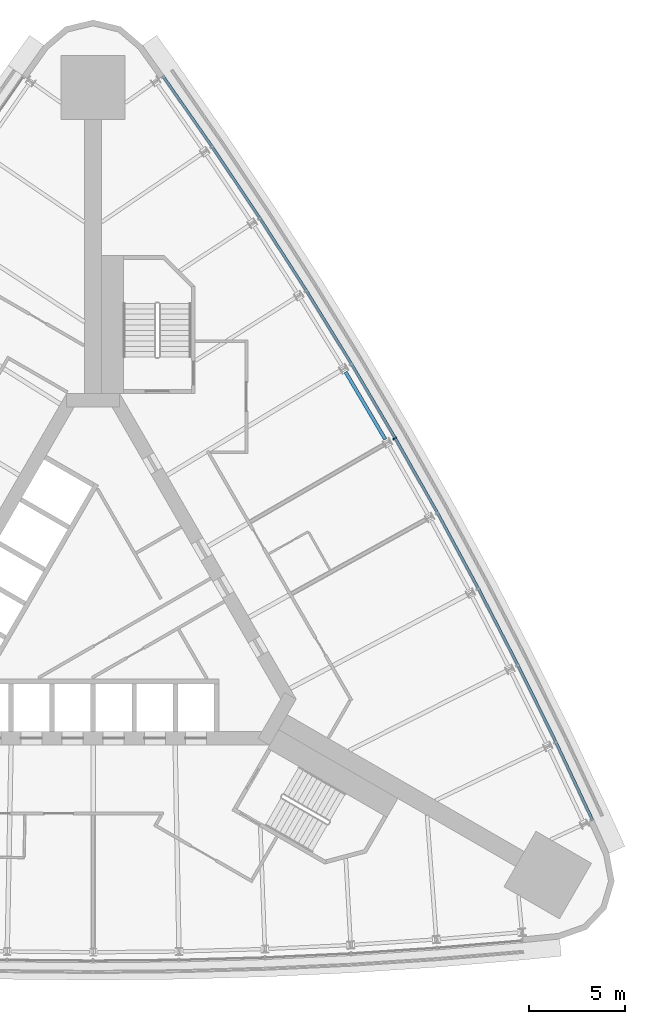
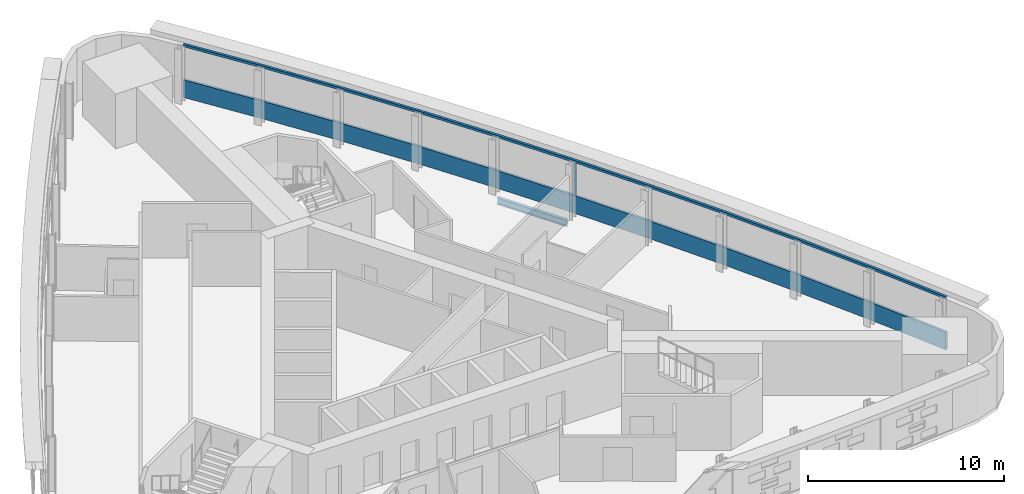
# One storey, part 7 of 14: 3 members, 1 beam, 1 element without a shape of its own.
"""IFC4 building model written with IfcOpenShell, lengths in metres."""

import ifcopenshell
import ifcopenshell.guid

model = None  # the IFC model being written
_history = None  # IfcOwnerHistory: only IFC2X3 demands one
_inside = {}  # id of a spatial element -> (the spatial element, [elements in it])
_under = {}  # id of a project, library or spatial element -> (it, [spatial elements below it])
_declared = {}  # id of a project -> (the project, [libraries it declares])
_typed = {}  # id of a type object -> (the type object, [elements of that type])
_made_of = {}  # id of a material, layer set ... -> (it, [elements and type objects made of it])


def new_model(schema):
    """Start an empty IFC model of exactly this schema.

    Asked for "IFC4X3", IfcOpenShell would pick the latest addendum, in which some entities
    have other attributes; the version numbers below select the first issue.
    IFC2X3 requires an IfcOwnerHistory on every rooted entity: one is made here for all.
    """
    global model, _history
    if schema == "IFC4X3":
        model = ifcopenshell.file(schema_version=(4, 3, 0, 0))
    else:
        model = ifcopenshell.file(schema=schema)
    _inside.clear()
    _under.clear()
    _declared.clear()
    _typed.clear()
    _made_of.clear()
    _history = None
    if model.schema == "IFC2X3":
        org = make("IfcOrganization", Name="unknown")
        user = make(
            "IfcPersonAndOrganization",
            ThePerson=make("IfcPerson", FamilyName="unknown"),
            TheOrganization=org,
        )
        app = make(
            "IfcApplication",
            ApplicationDeveloper=org,
            Version="unknown",
            ApplicationFullName="unknown",
            ApplicationIdentifier="unknown",
        )
        _history = make(
            "IfcOwnerHistory",
            OwningUser=user,
            OwningApplication=app,
            ChangeAction="ADDED",
            CreationDate=0,
        )
    return model


def make(cls, **values):
    """One entity of the class cls with the attributes given. An attribute that is None is left unset."""
    return model.create_entity(
        cls, **{name: value for name, value in values.items() if value is not None}
    )


def rooted(cls, **values):
    """An entity with a GlobalId (a new one), such as an element, a storey or a relation."""
    return make(cls, GlobalId=ifcopenshell.guid.new(), OwnerHistory=_history, **values)


def si_unit(unit_type, name, prefix=None):
    """IfcSIUnit, for example si_unit("LENGTHUNIT", "METRE", prefix="MILLI")."""
    return make("IfcSIUnit", UnitType=unit_type, Prefix=prefix, Name=name)


def assignment(units):
    """IfcUnitAssignment: the units of a project."""
    return None if units is None else make("IfcUnitAssignment", Units=units)


def point(xyz):
    """IfcCartesianPoint."""
    return None if xyz is None else make("IfcCartesianPoint", Coordinates=xyz)


def direction(xyz):
    """IfcDirection."""
    return None if xyz is None else make("IfcDirection", DirectionRatios=xyz)


def frame(location, z_axis=None, x_axis=None):
    """IfcAxis2Placement3D, a coordinate frame: its origin and axes. An axis left out is left unset."""
    return make(
        "IfcAxis2Placement3D",
        Location=point(location),
        Axis=direction(z_axis),
        RefDirection=direction(x_axis),
    )


def frame_2d(location, x_axis=None):
    """IfcAxis2Placement2D, a coordinate frame in the plane: its origin and x axis."""
    return make(
        "IfcAxis2Placement2D", Location=point(location), RefDirection=direction(x_axis)
    )


def origin():
    """The frame at (0, 0, 0) with its axes left unset."""
    return frame((0.0, 0.0, 0.0))


def origin_2d():
    """The frame at (0, 0) in the plane with its x axis left unset."""
    return frame_2d((0.0, 0.0))


def place(relative_to, where):
    """IfcLocalPlacement: puts the frame where relative to a parent placement (None: the world)."""
    return make(
        "IfcLocalPlacement", PlacementRelTo=relative_to, RelativePlacement=where
    )


def context(
    kind, dimensions, precision=None, world=None, true_north=None, identifier=None
):
    """IfcGeometricRepresentationContext, for example the 3D "Model" context."""
    return make(
        "IfcGeometricRepresentationContext",
        ContextIdentifier=identifier,
        ContextType=kind,
        CoordinateSpaceDimension=dimensions,
        Precision=precision,
        WorldCoordinateSystem=world,
        TrueNorth=true_north,
    )


def subcontext(parent, identifier, kind, view, scale=None):
    """IfcGeometricRepresentationSubContext, for example "Body" below "Model"."""
    return make(
        "IfcGeometricRepresentationSubContext",
        ContextIdentifier=identifier,
        ContextType=kind,
        ParentContext=parent,
        TargetScale=scale,
        TargetView=view,
    )


def project(units=None, contexts=None):
    """IfcProject with its units and contexts."""
    return rooted(
        "IfcProject",
        Name="project",
        RepresentationContexts=contexts,
        UnitsInContext=assignment(units),
    )


def spatial(cls, under=None, at=None, **own):
    """A site, building, storey or space (cls), placed at a placement, below another one or the project."""
    s = rooted(cls, ObjectPlacement=at, **own)
    if under is not None:
        _under.setdefault(under.id(), (under, []))[1].append(s)
    return s


def polyline(points):
    """IfcPolyline through the points."""
    return make("IfcPolyline", Points=[point(p) for p in points])


def profile(cls, at=None, kind="AREA", **sizes):
    """A parametric profile (cls). Its sizes go by their IFC names, for example OverallWidth=200.0."""
    return make(cls, ProfileType=kind, Position=at, **sizes)


def rectangle(**sizes):
    """IfcRectangleProfileDef."""
    return profile("IfcRectangleProfileDef", **sizes)


def i_section(**sizes):
    """IfcIShapeProfileDef."""
    return profile("IfcIShapeProfileDef", **sizes)


def outline(outer, holes=None, kind="AREA"):
    """IfcArbitraryClosedProfileDef: a profile drawn as a closed curve; with holes, ...WithVoids."""
    if holes is None:
        return make("IfcArbitraryClosedProfileDef", ProfileType=kind, OuterCurve=outer)
    return make(
        "IfcArbitraryProfileDefWithVoids",
        ProfileType=kind,
        OuterCurve=outer,
        InnerCurves=holes,
    )


def extrude(swept, where, along, depth):
    """IfcExtrudedAreaSolid: the profile swept, set in the frame where, extruded along a direction by depth."""
    return make(
        "IfcExtrudedAreaSolid",
        SweptArea=swept,
        Position=where,
        ExtrudedDirection=direction(along),
        Depth=depth,
    )


def shape(context_of_items, identifier, shape_type, items):
    """IfcShapeRepresentation: the items that make up one representation, for example the "Body"."""
    return make(
        "IfcShapeRepresentation",
        ContextOfItems=context_of_items,
        RepresentationIdentifier=identifier,
        RepresentationType=shape_type,
        Items=items,
    )


def material(Name=None, Category=None):
    """IfcMaterial."""
    return make("IfcMaterial", Name=Name, Category=Category)


def material_profile(
    of_material, cross_section, Name=None, Category=None, Priority=None
):
    """IfcMaterialProfile: a cross section and its material."""
    return make(
        "IfcMaterialProfile",
        Name=Name,
        Material=of_material,
        Profile=cross_section,
        Priority=Priority,
        Category=Category,
    )


def profile_set(profiles, Name=None, composite=None):
    """IfcMaterialProfileSet."""
    return make(
        "IfcMaterialProfileSet",
        Name=Name,
        MaterialProfiles=profiles,
        CompositeProfile=composite,
    )


def made_of(thing, what):
    """Note that an element or type object is made of a material, layer set ...; save() writes the relation."""
    if what is not None:
        _made_of.setdefault(what.id(), (what, []))[1].append(thing)
    return thing


def type_object(cls, material=None, **own):
    """A type object (cls), such as IfcWallType, which elements share."""
    return made_of(rooted(cls, **own), material)


def element(
    cls,
    number,
    at=None,
    inside=None,
    cuts=None,
    type_object=None,
    material=None,
    context=None,
    identifier="Body",
    shape_type=None,
    held_by="IfcProductDefinitionShape",
    body=None,
    shapes=None,
    **own,
):
    """One element of the class cls, such as IfcWall. Its Tag is "e" and its number.

    at: its placement. inside: the storey or other place that contains it. cuts: it is an
    opening in that element (IfcRelVoidsElement). A single representation is given by context,
    identifier, shape_type and body (its items); several are given by shapes. held_by: the class
    of the entity that holds the representations. save() writes the other relations.
    """
    e = rooted(cls, Tag="e%d" % number, ObjectPlacement=at, **own)
    if body is not None:
        shapes = [shape(context, identifier, shape_type, body)]
    if shapes is not None:
        e.Representation = make(held_by, Representations=shapes)
    if inside is not None:
        _inside.setdefault(inside.id(), (inside, []))[1].append(e)
    if cuts is not None:
        rooted(
            "IfcRelVoidsElement", RelatingBuildingElement=cuts, RelatedOpeningElement=e
        )
    if type_object is not None:
        _typed.setdefault(type_object.id(), (type_object, []))[1].append(e)
    return made_of(e, material)


def aggregate(whole, parts):
    """IfcRelAggregates: a whole, such as a stair, and the parts it consists of."""
    return rooted("IfcRelAggregates", RelatingObject=whole, RelatedObjects=parts)


def save(model, path):
    """Write the relations noted so far, then the file.

    IfcRelAggregates (storeys below a building ...), IfcRelContainedInSpatialStructure (elements
    in a storey), IfcRelDefinesByType, IfcRelAssociatesMaterial and IfcRelDeclares: one each for
    every whole, place, type object, material and project.
    """
    for whole, parts in _under.values():
        aggregate(whole, parts)
    for where, things in _inside.values():
        rooted(
            "IfcRelContainedInSpatialStructure",
            RelatedElements=things,
            RelatingStructure=where,
        )
    for kind, things in _typed.values():
        rooted("IfcRelDefinesByType", RelatedObjects=things, RelatingType=kind)
    for what, things in _made_of.values():
        rooted("IfcRelAssociatesMaterial", RelatedObjects=things, RelatingMaterial=what)
    for by, libraries in _declared.values():
        rooted("IfcRelDeclares", RelatingContext=by, RelatedDefinitions=libraries)
    model.write(path)


model = new_model("IFC4")

# Units and contexts
model_context = context("Model", 3, precision=1e-05, world=origin(), true_north=direction((0.0, 1.0)))
body_context = subcontext(model_context, "Body", "Model", "MODEL_VIEW")
ifc_project = project(units=[si_unit("LENGTHUNIT", "METRE"), si_unit("AREAUNIT", "SQUARE_METRE"), si_unit("VOLUMEUNIT", "CUBIC_METRE"), si_unit("PLANEANGLEUNIT", "RADIAN"), si_unit("MASSUNIT", "GRAM", prefix="KILO")], contexts=[model_context])

# Site, building, storey
site_placement = place(None, origin())
site = spatial("IfcSite", under=ifc_project, at=site_placement, CompositionType="ELEMENT")
building_placement = place(site_placement, origin())
building = spatial("IfcBuilding", under=site, at=building_placement, Name="Noor Cloister Tower", CompositionType="ELEMENT")
storey_placement = place(building_placement, frame((0.0, 0.0, 38.39990234375)))
storey = spatial("IfcBuildingStorey", under=building, at=storey_placement, Name="L09", CompositionType="ELEMENT", Elevation=38.39990234375)

# Curtain wall, members
ifc_material_1 = material(Name="Aluminium 6063-T6 anodised", Category="aluminium")
curtain_wall_type = type_object("IfcCurtainWallType", Name="Ribbon curtain wall, lower tower CW1", PredefinedType="NOTDEFINED", material=ifc_material_1)
curtain_wall_placement = place(storey_placement, origin())
curtain_wall = element("IfcCurtainWall", 1, at=curtain_wall_placement, inside=storey, type_object=curtain_wall_type, Name="CW1 L09 NE run 3", PredefinedType="NOTDEFINED")
ifc_material_2 = material(Name="Aluminium 6063-T6 anodised", Category="aluminium")
member_type_1 = type_object("IfcMemberType", Name="Head transom CW1 150", PredefinedType="USERDEFINED", material=ifc_material_2)
member_1_placement = place(storey_placement, frame((0.0, 0.0, 3.150146484375)))
member_1 = element("IfcMember", 2, at=member_1_placement, type_object=member_type_1, Name="CW1 head transom", ObjectType="TRANSOM", PredefinedType="USERDEFINED", context=body_context, shape_type="SweptSolid", body=[
    extrude(outline(polyline([(26.176025390625, -10.830078125), (24.26220703125, -6.75732421875), (22.272216796875, -2.721435546875), (20.207275390625, 1.27685546875), (18.067626953125, 5.2353515625), (15.854248046875, 9.1533203125), (13.56787109375, 13.029296875), (11.209228515625, 16.861572265625), (8.779296875, 20.64892578125), (6.279052734375, 24.390380859375), (3.708984375, 28.084228515625), (3.593994140625, 28.004150390625), (6.163330078125, 24.3115234375), (8.662353515625, 20.572265625), (11.0908203125, 16.787109375), (13.447998046875, 12.95703125), (15.73291015625, 9.08349609375), (17.945068359375, 5.167724609375), (20.08349609375, 1.21142578125), (22.147216796875, -2.784423828125), (24.135986328125, -6.818115234375), (26.04931640625, -10.8896484375), (26.176025390625, -10.830078125)])), origin(), (0.0, 0.0, 1.0), 0.14990234375),
])
ifc_material_3 = material(Name="Aluminium 6063-T6 anodised", Category="aluminium")
ifc_material_profile_1 = material_profile(ifc_material_3, rectangle(XDim=0.199951171875, YDim=0.080078125, at=origin_2d()), Name="200 x 80 mullion")
ifc_profile_set_1 = profile_set([ifc_material_profile_1], Name="Aluminium 6063-T6 anodised")
member_type_2 = type_object("IfcMemberType", Name="Mullion CW1 80 x 200", PredefinedType="MULLION", material=ifc_profile_set_1)
member_2_placement = place(storey_placement, frame((15.767578125, 9.103515625, 1.10009765625), z_axis=(0.0, 0.0, 1.0), x_axis=(-0.866025403784, -0.5, 0.0)))
member_2 = element("IfcMember", 3, at=member_2_placement, type_object=member_type_2, Name="CW1 mullion 6", PredefinedType="MULLION", context=body_context, shape_type="SweptSolid", body=[
    extrude(rectangle(XDim=0.199951171875, YDim=0.080078125, at=origin_2d()), origin(), (0.0, 0.0, 1.0), 2.050048828125),
])
ifc_material_4 = material(Name="Aluminium 6063-T6 anodised", Category="aluminium")
member_type_3 = type_object("IfcMemberType", Name="Sill transom CW1 1100", PredefinedType="USERDEFINED", material=ifc_material_4)
member_3_placement = place(storey_placement, origin())
member_3 = element("IfcMember", 4, at=member_3_placement, type_object=member_type_3, Name="CW1 sill transom", ObjectType="TRANSOM", PredefinedType="USERDEFINED", context=body_context, shape_type="SweptSolid", body=[
    extrude(outline(polyline([(26.176025390625, -10.830078125), (24.26220703125, -6.75732421875), (22.272216796875, -2.721435546875), (20.207275390625, 1.27685546875), (18.067626953125, 5.2353515625), (15.854248046875, 9.1533203125), (13.56787109375, 13.029296875), (11.209228515625, 16.861572265625), (8.779296875, 20.64892578125), (6.279052734375, 24.390380859375), (3.708984375, 28.084228515625), (3.593994140625, 28.004150390625), (6.163330078125, 24.3115234375), (8.662353515625, 20.572265625), (11.0908203125, 16.787109375), (13.447998046875, 12.95703125), (15.73291015625, 9.08349609375), (17.945068359375, 5.167724609375), (20.08349609375, 1.21142578125), (22.147216796875, -2.784423828125), (24.135986328125, -6.818115234375), (26.04931640625, -10.8896484375), (26.176025390625, -10.830078125)])), origin(), (0.0, 0.0, 1.0), 1.10009765625),
])
aggregate(curtain_wall, [member_2, member_3, member_1])

# Beam
ifc_material_5 = material(Name="Steel ASTM A992 Gr 50", Category="steel")
ifc_material_profile_2 = material_profile(ifc_material_5, i_section(OverallWidth=0.177978515625, OverallDepth=0.406005859375, WebThickness=0.0078125, FlangeThickness=0.0126953125, FilletRadius=0.01025390625, at=origin_2d()), Name="W410x60")
ifc_profile_set_2 = profile_set([ifc_material_profile_2], Name="Steel ASTM A992 Gr 50")
beam_type = type_object("IfcBeamType", Name="Spandrel beam W410x60", PredefinedType="SPANDREL", material=ifc_profile_set_2)
beam_placement = place(storey_placement, frame((15.275146484375, 9.052490234375, -0.40283203125), z_axis=(-0.508074831261, 0.861312931424, 0.0), x_axis=(-0.861312931424, -0.508074831261, 0.0)))
element("IfcBeam", 5, at=beam_placement, inside=storey, type_object=beam_type, Name="Spandrel beam NE 06 L09", PredefinedType="SPANDREL", context=body_context, shape_type="SweptSolid", body=[
    extrude(i_section(OverallWidth=0.177978515625, OverallDepth=0.406005859375, WebThickness=0.0078125, FlangeThickness=0.0126953125, FilletRadius=0.01025390625, at=origin_2d()), origin(), (0.0, 0.0, 1.0), 4.08544921875),
])

save(model, "model.ifc")
